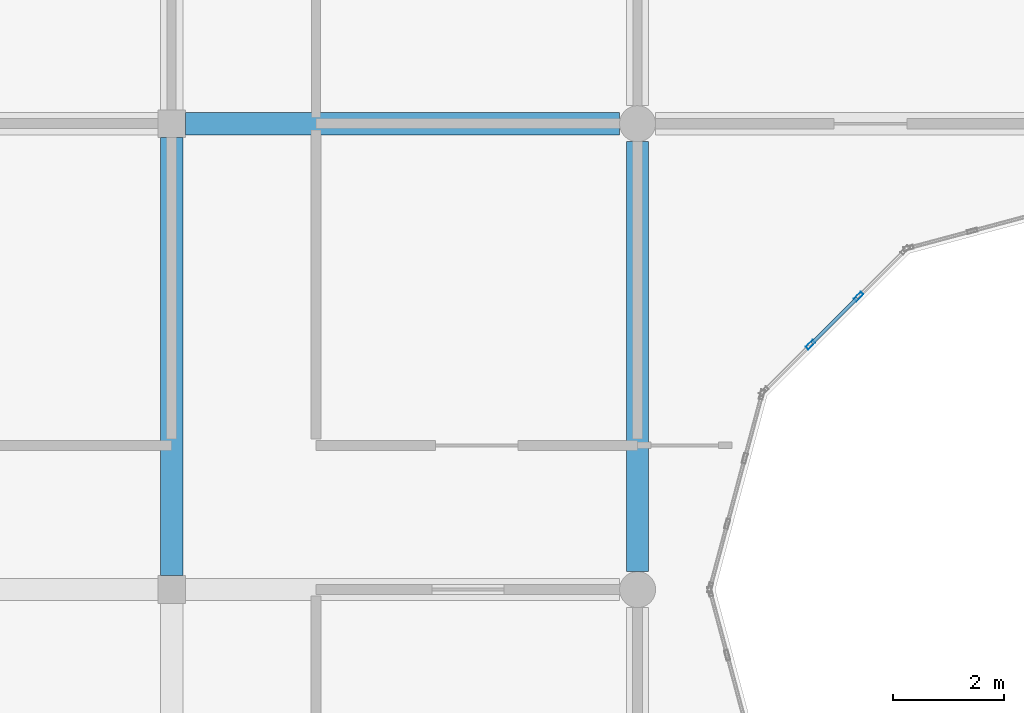
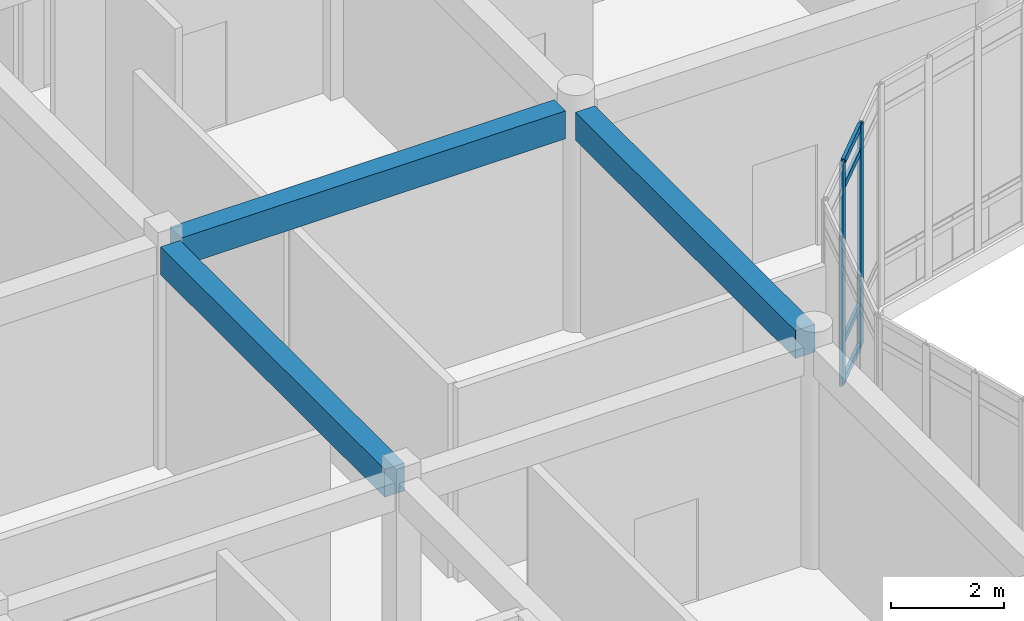
# One storey, part 45 of 134: 6 members, 3 beams, 1 element without a shape of its own.
"""IFC4 building model written with IfcOpenShell, lengths in metres."""

from ifc_helpers import new_model, si_unit, direction, frame, origin, origin_2d, place, context, subcontext, project, spatial, rectangle, hollow_rectangle, extrude, material, layer, layer_set, material_profile, profile_set, type_object, element, aggregate, save


model = new_model("IFC4")

# Units and contexts
model_context = context("Model", 3, precision=1e-05, world=origin(), true_north=direction((0.0, 1.0)))
body_context = subcontext(model_context, "Body", "Model", "MODEL_VIEW")
ifc_project = project(units=[si_unit("LENGTHUNIT", "METRE"), si_unit("AREAUNIT", "SQUARE_METRE"), si_unit("VOLUMEUNIT", "CUBIC_METRE"), si_unit("PLANEANGLEUNIT", "RADIAN"), si_unit("MASSUNIT", "GRAM", prefix="KILO")], contexts=[model_context])

# Site, building, storey
site_placement = place(None, origin())
site = spatial("IfcSite", under=ifc_project, at=site_placement, CompositionType="ELEMENT")
building_placement = place(site_placement, origin())
building = spatial("IfcBuilding", under=site, at=building_placement, Name="Bramfleet General Hospital", CompositionType="ELEMENT")
storey_placement = place(building_placement, frame((0.0, 0.0, 9.300048828125)))
storey = spatial("IfcBuildingStorey", under=building, at=storey_placement, Name="L02", CompositionType="ELEMENT", Elevation=9.300048828125)

# Beams
ifc_material_1 = material(Name="Concrete C35/45", Category="concrete")
ifc_material_profile_1 = material_profile(ifc_material_1, rectangle(XDim=0.39990234375, YDim=0.60009765625, at=origin_2d()), Name="RC BM 600x400")
ifc_profile_set_1 = profile_set([ifc_material_profile_1], Name="Concrete C35/45")
beam_type = type_object("IfcBeamType", Name="BM-RC600", PredefinedType="BEAM", material=ifc_profile_set_1)
beam_1_placement = place(storey_placement, frame((67.449951171875, 84.0, 4.47998046875), z_axis=(1.0, 0.0, 0.0), x_axis=(0.0, 1.0, 0.0)))
element("IfcBeam", 1, at=beam_1_placement, inside=storey, type_object=beam_type, Name="L02 Grid Beam X 08-10", PredefinedType="BEAM", context=body_context, shape_type="SweptSolid", body=[
    extrude(rectangle(XDim=0.39990234375, YDim=0.60009765625, at=origin_2d()), origin(), (0.0, 0.0, 1.0), 7.824951171875),
])
beam_2_placement = place(storey_placement, frame((67.199951171875, 75.85009765625, 4.47998046875), z_axis=(0.0, 1.0, 0.0), x_axis=(-1.0, 0.0, 0.0)))
element("IfcBeam", 2, at=beam_2_placement, inside=storey, type_object=beam_type, Name="L02 Grid Beam Y 08-09", PredefinedType="BEAM", context=body_context, shape_type="SweptSolid", body=[
    extrude(rectangle(XDim=0.39990234375, YDim=0.60009765625, at=origin_2d()), origin(), (0.0, 0.0, 1.0), 7.89990234375),
])
beam_3_placement = place(storey_placement, frame((75.60009765625, 75.925048828125, 4.47998046875), z_axis=(0.0, 1.0, 0.0), x_axis=(-1.0, 0.0, 0.0)))
element("IfcBeam", 3, at=beam_3_placement, inside=storey, type_object=beam_type, Name="L02 Grid Beam Y 09-09", PredefinedType="BEAM", context=body_context, shape_type="SweptSolid", body=[
    extrude(rectangle(XDim=0.39990234375, YDim=0.60009765625, at=origin_2d()), origin(), (0.0, 0.0, 1.0), 7.75),
])

# Curtain wall, members
ifc_material_2 = material(Name="Anodised aluminium and low-E triple glazing", Category="aluminium")
ifc_layer = layer(ifc_material_2, 0.179931640625, Name="CWT-CW-11")
ifc_layer_set = layer_set([ifc_layer], Name="Anodised aluminium and low-E triple glazing")
curtain_wall_type = type_object("IfcCurtainWallType", Name="CWT-CW-11", PredefinedType="USERDEFINED", material=ifc_layer_set)
curtain_wall_placement = place(storey_placement, origin())
curtain_wall = element("IfcCurtainWall", 4, at=curtain_wall_placement, inside=storey, type_object=curtain_wall_type, Name="L02 Central Diagnostic Light Court Curtain Wall 11.1", ObjectType="Stick curtain wall", PredefinedType="USERDEFINED")
ifc_material_3 = material(Name="Anodised aluminium EN AW-6060", Category="aluminium")
ifc_material_profile_2 = material_profile(ifc_material_3, hollow_rectangle(XDim=0.070068359375, YDim=0.179931640625, WallThickness=0.00390625, at=origin_2d()), Name="ALU 180x70x4.0")
ifc_profile_set_2 = profile_set([ifc_material_profile_2], Name="Anodised aluminium EN AW-6060")
member_type_1 = type_object("IfcMemberType", Name="CWM-ALU180", PredefinedType="MULLION", material=ifc_profile_set_2)
member_1_placement = place(storey_placement, frame((79.583740234375, 80.882568359375, 0.0), z_axis=(0.0, 0.0, 1.0), x_axis=(0.707106781187, -0.707106781187, 0.0)))
member_1 = element("IfcMember", 5, at=member_1_placement, type_object=member_type_1, Name="CW-11 mullion 2", PredefinedType="MULLION", context=body_context, shape_type="SweptSolid", body=[
    extrude(hollow_rectangle(XDim=0.070068359375, YDim=0.179931640625, WallThickness=0.00390625, at=origin_2d()), origin(), (0.0, 0.0, 1.0), 4.77001953125),
])
member_2_placement = place(storey_placement, frame((78.71728515625, 80.016357421875, 0.0), z_axis=(0.0, 0.0, 1.0), x_axis=(0.707106781187, -0.707106781187, 0.0)))
member_2 = element("IfcMember", 6, at=member_2_placement, type_object=member_type_1, Name="CW-11 mullion 3", PredefinedType="MULLION", context=body_context, shape_type="SweptSolid", body=[
    extrude(hollow_rectangle(XDim=0.070068359375, YDim=0.179931640625, WallThickness=0.00390625, at=origin_2d()), origin(), (0.0, 0.0, 1.0), 4.77001953125),
])
ifc_material_profile_3 = material_profile(ifc_material_3, hollow_rectangle(XDim=0.06494140625, YDim=0.139892578125, WallThickness=0.00390625, at=origin_2d()), Name="ALU 140x65x4.0")
ifc_profile_set_3 = profile_set([ifc_material_profile_3], Name="Anodised aluminium EN AW-6060")
member_type_2 = type_object("IfcMemberType", Name="CWT-ALU140", PredefinedType="USERDEFINED", material=ifc_profile_set_3)
member_3_placement = place(storey_placement, frame((79.558837890625, 80.85791015625, 0.032470703125), z_axis=(-0.707001093006, -0.707212453572, 0.0), x_axis=(0.707212453572, -0.707001093006, 0.0)))
member_3 = element("IfcMember", 7, at=member_3_placement, type_object=member_type_2, Name="CW-11 transom 2.1", ObjectType="TRANSOM", PredefinedType="USERDEFINED", context=body_context, shape_type="SweptSolid", body=[
    extrude(hollow_rectangle(XDim=0.06494140625, YDim=0.139892578125, WallThickness=0.00390625, at=origin_2d()), origin(), (0.0, 0.0, 1.0), 1.155029296875),
])
member_4_placement = place(storey_placement, frame((79.558837890625, 80.85791015625, 0.89990234375), z_axis=(-0.707001093006, -0.707212453572, 0.0), x_axis=(0.707212453572, -0.707001093006, 0.0)))
member_4 = element("IfcMember", 8, at=member_4_placement, type_object=member_type_2, Name="CW-11 transom 2.2", ObjectType="TRANSOM", PredefinedType="USERDEFINED", context=body_context, shape_type="SweptSolid", body=[
    extrude(hollow_rectangle(XDim=0.06494140625, YDim=0.139892578125, WallThickness=0.00390625, at=origin_2d()), origin(), (0.0, 0.0, 1.0), 1.155029296875),
])
member_5_placement = place(storey_placement, frame((79.558837890625, 80.85791015625, 4.219970703125), z_axis=(-0.707001093006, -0.707212453572, 0.0), x_axis=(0.707212453572, -0.707001093006, 0.0)))
member_5 = element("IfcMember", 9, at=member_5_placement, type_object=member_type_2, Name="CW-11 transom 2.3", ObjectType="TRANSOM", PredefinedType="USERDEFINED", context=body_context, shape_type="SweptSolid", body=[
    extrude(hollow_rectangle(XDim=0.06494140625, YDim=0.139892578125, WallThickness=0.00390625, at=origin_2d()), origin(), (0.0, 0.0, 1.0), 1.155029296875),
])
member_6_placement = place(storey_placement, frame((79.558837890625, 80.85791015625, 4.737548828125), z_axis=(-0.707001093006, -0.707212453572, 0.0), x_axis=(0.707212453572, -0.707001093006, 0.0)))
member_6 = element("IfcMember", 10, at=member_6_placement, type_object=member_type_2, Name="CW-11 transom 2.4", ObjectType="TRANSOM", PredefinedType="USERDEFINED", context=body_context, shape_type="SweptSolid", body=[
    extrude(hollow_rectangle(XDim=0.06494140625, YDim=0.139892578125, WallThickness=0.00390625, at=origin_2d()), origin(), (0.0, 0.0, 1.0), 1.155029296875),
])
aggregate(curtain_wall, [member_1, member_2, member_3, member_4, member_5, member_6])

save(model, "model.ifc")
